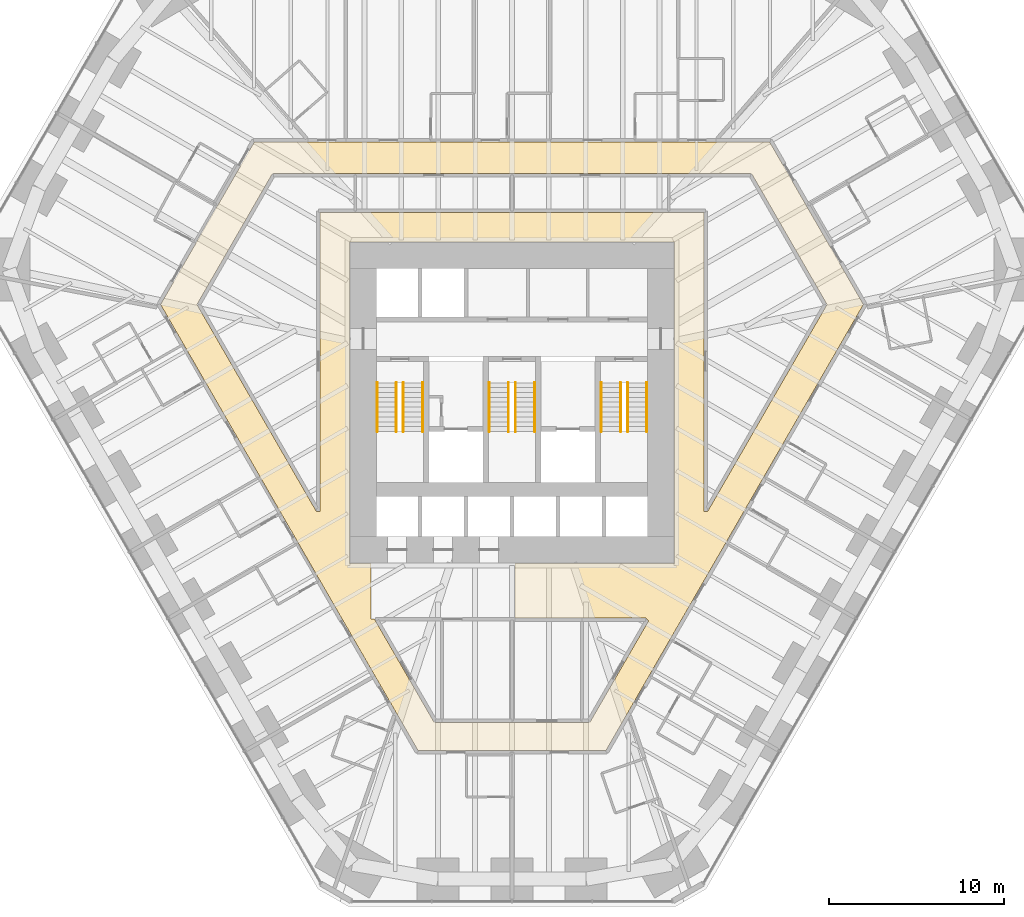
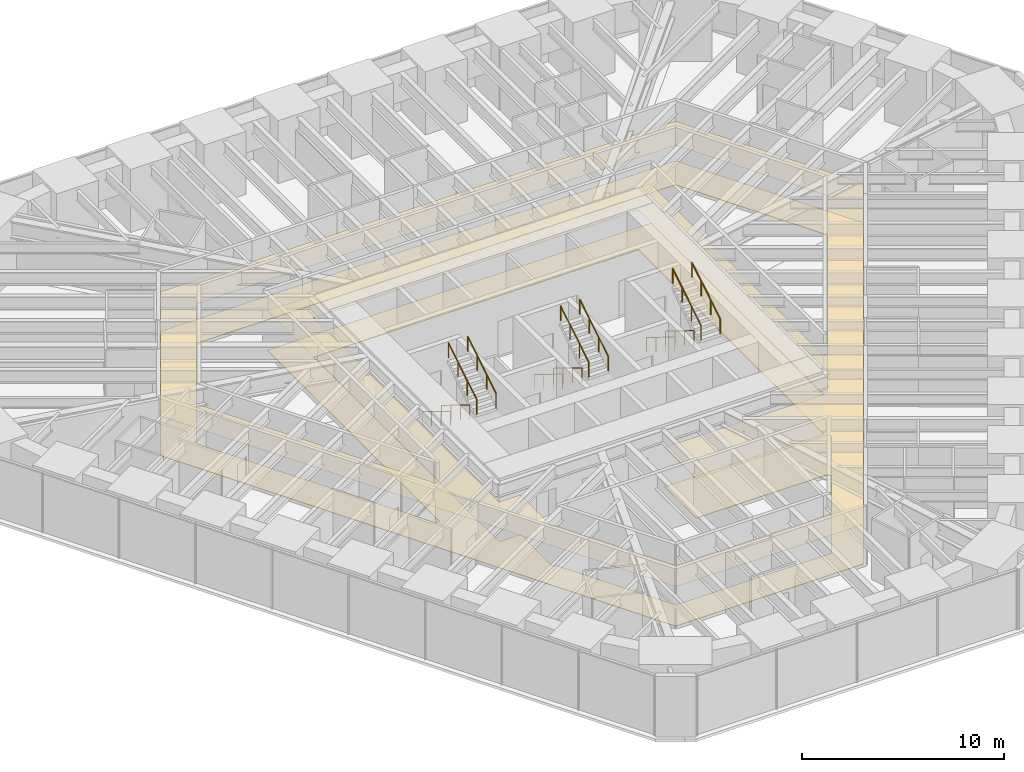
# One storey, part 17 of 17: 12 railings, 2 coverings.
"""IFC4 building model written with IfcOpenShell, lengths in metres."""

from ifc_helpers import new_model, si_unit, direction, frame, origin, origin_2d, place, context, subcontext, project, spatial, polyline, circle, outline, extrude, material, layer, layer_set, type_object, element, save


model = new_model("IFC4")

# Units and contexts
model_context = context("Model", 3, precision=1e-05, world=origin(), true_north=direction((0.0, 1.0)))
body_context = subcontext(model_context, "Body", "Model", "MODEL_VIEW")
ifc_project = project(units=[si_unit("LENGTHUNIT", "METRE"), si_unit("AREAUNIT", "SQUARE_METRE"), si_unit("VOLUMEUNIT", "CUBIC_METRE"), si_unit("PLANEANGLEUNIT", "RADIAN"), si_unit("MASSUNIT", "GRAM", prefix="KILO")], contexts=[model_context])

# Site, building, storey
site_placement = place(None, origin())
site = spatial("IfcSite", under=ifc_project, at=site_placement, CompositionType="ELEMENT")
building_placement = place(site_placement, origin())
building = spatial("IfcBuilding", under=site, at=building_placement, Name="Sandreach Pilgrim Tower", CompositionType="ELEMENT")
storey_placement = place(building_placement, frame((0.0, 0.0, 30.60009765625)))
storey = spatial("IfcBuildingStorey", under=building, at=storey_placement, Name="L06", CompositionType="ELEMENT", Elevation=30.60009765625)

# Covering
ifc_material_1 = material(Name="Gypsum board suspended ceiling on a steel grid", Category="steel")
ifc_layer_1 = layer(ifc_material_1, 0.012939453125)
ifc_layer_set_1 = layer_set([ifc_layer_1], Name="Gypsum board suspended ceiling")
covering_type_1 = type_object("IfcCoveringType", Name="Gypsum board suspended ceiling", PredefinedType="CEILING", material=ifc_layer_set_1)
covering_1_placement = place(storey_placement, frame((0.0, 0.0, 2.39990234375)))
element("IfcCovering", 1, at=covering_1_placement, inside=storey, type_object=covering_type_1, Name="Ceiling 06C Corridor 06", PredefinedType="CEILING", context=body_context, shape_type="SweptSolid", body=[
    extrude(outline(polyline([(-5.3623046875, -21.409912109375), (-20.064453125, 4.06005859375), (-14.7021484375, 13.35009765625), (14.7021484375, 13.35009765625), (20.064453125, 4.06005859375), (5.3623046875, -21.409912109375), (-5.3623046875, -21.409912109375)]), holes=[polyline([(-11.16552734375, -7.760009765625), (-10.949951171875, -7.760009765625), (-10.949951171875, 9.300048828125), (10.949951171875, 9.300048828125), (10.949951171875, -7.760009765625), (11.16552734375, -7.760009765625), (17.9853515625, 4.06005859375), (13.667724609375, 11.550048828125), (-13.667724609375, 11.550048828125), (-17.9853515625, 4.06005859375), (-11.16552734375, -7.760009765625)]), polyline([(-8.050048828125, -10.719970703125), (-8.050048828125, -13.89990234375), (-7.8544921875, -13.89990234375), (-4.437744140625, -19.81005859375), (4.437744140625, -19.81005859375), (7.796630859375, -14.0), (7.635009765625, -13.85009765625), (0.179931640625, -13.85009765625), (0.175048828125, -10.719970703125), (9.27001953125, -10.719970703125), (9.27001953125, 7.6201171875), (-9.27001953125, 7.6201171875), (-9.27001953125, -10.719970703125), (-8.050048828125, -10.719970703125)])]), origin(), (0.0, 0.0, 1.0), 0.012939453125),
])

# Railings
ifc_material_2 = material(Name="Stainless steel tube", Category="steel")
railing_type = type_object("IfcRailingType", Name="Stair handrail", PredefinedType="HANDRAIL", material=ifc_material_2)
for number, where, name in (
    (2, (-6.60009765625, -0.39990234375, 0.172607421875), "Handrail ST1 L06 flight 1"),
    (3, (-7.699951171875, -0.39990234375, 0.172607421875), "Handrail ST1 L06 flight 1"),
):
    element("IfcRailing", number, at=place(storey_placement, frame(where)), inside=storey, type_object=railing_type, Name=name, PredefinedType="HANDRAIL", context=body_context, shape_type="SweptSolid", body=[
        extrude(circle(Radius=0.02392578125, at=origin_2d()), frame((0.0, 0.0, 0.8759765625), z_axis=(0.0, -0.851089632645, 0.525020415988), x_axis=(1.0, 0.0, 0.0)), (0.0, 0.0, 1.0), 3.2900390625),
        extrude(circle(Radius=0.02099609375, at=origin_2d()), origin(), (0.0, 0.0, 1.0), 0.851806640625),
        extrude(circle(Radius=0.02099609375, at=origin_2d()), frame((0.0, -0.933349609375, 0.57568359375)), (0.0, 0.0, 1.0), 0.851806640625),
        extrude(circle(Radius=0.02099609375, at=origin_2d()), frame((0.0, -1.86669921875, 1.151611328125)), (0.0, 0.0, 1.0), 0.851806640625),
        extrude(circle(Radius=0.02099609375, at=origin_2d()), frame((0.0, -2.800048828125, 1.727294921875)), (0.0, 0.0, 1.0), 0.851806640625),
    ])
for number, where, name in (
    (4, (-6.199951171875, -3.199951171875, 2.072509765625), "Handrail ST1 L06 flight 2"),
    (5, (-5.10009765625, -3.199951171875, 2.072509765625), "Handrail ST1 L06 flight 2"),
):
    element("IfcRailing", number, at=place(storey_placement, frame(where)), inside=storey, type_object=railing_type, Name=name, PredefinedType="HANDRAIL", context=body_context, shape_type="SweptSolid", body=[
        extrude(circle(Radius=0.02392578125, at=origin_2d()), frame((0.0, 0.0, 0.8759765625), z_axis=(0.0, 0.851089632645, 0.525020415988), x_axis=(-1.0, 0.0, 0.0)), (0.0, 0.0, 1.0), 3.2900390625),
        extrude(circle(Radius=0.02099609375, at=origin_2d()), origin(), (0.0, 0.0, 1.0), 0.851806640625),
        extrude(circle(Radius=0.02099609375, at=origin_2d()), frame((0.0, 0.933349609375, 0.57568359375)), (0.0, 0.0, 1.0), 0.851806640625),
        extrude(circle(Radius=0.02099609375, at=origin_2d()), frame((0.0, 1.86669921875, 1.151611328125)), (0.0, 0.0, 1.0), 0.851806640625),
        extrude(circle(Radius=0.02099609375, at=origin_2d()), frame((0.0, 2.800048828125, 1.727294921875)), (0.0, 0.0, 1.0), 0.851806640625),
    ])
for number, where, name in (
    (6, (-0.199951171875, -0.39990234375, 0.172607421875), "Handrail ST3 L06 flight 1"),
    (7, (-1.300048828125, -0.39990234375, 0.172607421875), "Handrail ST3 L06 flight 1"),
):
    element("IfcRailing", number, at=place(storey_placement, frame(where)), inside=storey, type_object=railing_type, Name=name, PredefinedType="HANDRAIL", context=body_context, shape_type="SweptSolid", body=[
        extrude(circle(Radius=0.02392578125, at=origin_2d()), frame((0.0, 0.0, 0.8759765625), z_axis=(0.0, -0.851089632645, 0.525020415988), x_axis=(1.0, 0.0, 0.0)), (0.0, 0.0, 1.0), 3.2900390625),
        extrude(circle(Radius=0.02099609375, at=origin_2d()), origin(), (0.0, 0.0, 1.0), 0.851806640625),
        extrude(circle(Radius=0.02099609375, at=origin_2d()), frame((0.0, -0.933349609375, 0.57568359375)), (0.0, 0.0, 1.0), 0.851806640625),
        extrude(circle(Radius=0.02099609375, at=origin_2d()), frame((0.0, -1.86669921875, 1.151611328125)), (0.0, 0.0, 1.0), 0.851806640625),
        extrude(circle(Radius=0.02099609375, at=origin_2d()), frame((0.0, -2.800048828125, 1.727294921875)), (0.0, 0.0, 1.0), 0.851806640625),
    ])
for number, where, name in (
    (8, (0.199951171875, -3.199951171875, 2.072509765625), "Handrail ST3 L06 flight 2"),
    (9, (1.300048828125, -3.199951171875, 2.072509765625), "Handrail ST3 L06 flight 2"),
):
    element("IfcRailing", number, at=place(storey_placement, frame(where)), inside=storey, type_object=railing_type, Name=name, PredefinedType="HANDRAIL", context=body_context, shape_type="SweptSolid", body=[
        extrude(circle(Radius=0.02392578125, at=origin_2d()), frame((0.0, 0.0, 0.8759765625), z_axis=(0.0, 0.851089632645, 0.525020415988), x_axis=(-1.0, 0.0, 0.0)), (0.0, 0.0, 1.0), 3.2900390625),
        extrude(circle(Radius=0.02099609375, at=origin_2d()), origin(), (0.0, 0.0, 1.0), 0.851806640625),
        extrude(circle(Radius=0.02099609375, at=origin_2d()), frame((0.0, 0.933349609375, 0.57568359375)), (0.0, 0.0, 1.0), 0.851806640625),
        extrude(circle(Radius=0.02099609375, at=origin_2d()), frame((0.0, 1.86669921875, 1.151611328125)), (0.0, 0.0, 1.0), 0.851806640625),
        extrude(circle(Radius=0.02099609375, at=origin_2d()), frame((0.0, 2.800048828125, 1.727294921875)), (0.0, 0.0, 1.0), 0.851806640625),
    ])
for number, where, name in (
    (10, (6.199951171875, -0.39990234375, 0.172607421875), "Handrail ST2 L06 flight 1"),
    (11, (5.10009765625, -0.39990234375, 0.172607421875), "Handrail ST2 L06 flight 1"),
):
    element("IfcRailing", number, at=place(storey_placement, frame(where)), inside=storey, type_object=railing_type, Name=name, PredefinedType="HANDRAIL", context=body_context, shape_type="SweptSolid", body=[
        extrude(circle(Radius=0.02392578125, at=origin_2d()), frame((0.0, 0.0, 0.8759765625), z_axis=(0.0, -0.851089632645, 0.525020415988), x_axis=(1.0, 0.0, 0.0)), (0.0, 0.0, 1.0), 3.2900390625),
        extrude(circle(Radius=0.02099609375, at=origin_2d()), origin(), (0.0, 0.0, 1.0), 0.851806640625),
        extrude(circle(Radius=0.02099609375, at=origin_2d()), frame((0.0, -0.933349609375, 0.57568359375)), (0.0, 0.0, 1.0), 0.851806640625),
        extrude(circle(Radius=0.02099609375, at=origin_2d()), frame((0.0, -1.86669921875, 1.151611328125)), (0.0, 0.0, 1.0), 0.851806640625),
        extrude(circle(Radius=0.02099609375, at=origin_2d()), frame((0.0, -2.800048828125, 1.727294921875)), (0.0, 0.0, 1.0), 0.851806640625),
    ])
for number, where, name in (
    (12, (6.60009765625, -3.199951171875, 2.072509765625), "Handrail ST2 L06 flight 2"),
    (13, (7.699951171875, -3.199951171875, 2.072509765625), "Handrail ST2 L06 flight 2"),
):
    element("IfcRailing", number, at=place(storey_placement, frame(where)), inside=storey, type_object=railing_type, Name=name, PredefinedType="HANDRAIL", context=body_context, shape_type="SweptSolid", body=[
        extrude(circle(Radius=0.02392578125, at=origin_2d()), frame((0.0, 0.0, 0.8759765625), z_axis=(0.0, 0.851089632645, 0.525020415988), x_axis=(-1.0, 0.0, 0.0)), (0.0, 0.0, 1.0), 3.2900390625),
        extrude(circle(Radius=0.02099609375, at=origin_2d()), origin(), (0.0, 0.0, 1.0), 0.851806640625),
        extrude(circle(Radius=0.02099609375, at=origin_2d()), frame((0.0, 0.933349609375, 0.57568359375)), (0.0, 0.0, 1.0), 0.851806640625),
        extrude(circle(Radius=0.02099609375, at=origin_2d()), frame((0.0, 1.86669921875, 1.151611328125)), (0.0, 0.0, 1.0), 0.851806640625),
        extrude(circle(Radius=0.02099609375, at=origin_2d()), frame((0.0, 2.800048828125, 1.727294921875)), (0.0, 0.0, 1.0), 0.851806640625),
    ])

# Covering
ifc_material_3 = material(Name="Cement terrazzo, ground and polished", Category="terrazzo")
ifc_layer_2 = layer(ifc_material_3, 0.02490234375)
ifc_layer_set_2 = layer_set([ifc_layer_2], Name="Terrazzo")
covering_type_2 = type_object("IfcCoveringType", Name="Terrazzo", PredefinedType="FLOORING", material=ifc_layer_set_2)
covering_2_placement = place(storey_placement, origin())
element("IfcCovering", 14, at=covering_2_placement, inside=storey, type_object=covering_type_2, Name="Floor finish 06C Corridor 06", PredefinedType="FLOORING", context=body_context, shape_type="SweptSolid", body=[
    extrude(outline(polyline([(-5.3623046875, -21.409912109375), (-20.064453125, 4.06005859375), (-14.7021484375, 13.35009765625), (14.7021484375, 13.35009765625), (20.064453125, 4.06005859375), (5.3623046875, -21.409912109375), (-5.3623046875, -21.409912109375)]), holes=[polyline([(-11.16552734375, -7.760009765625), (-10.949951171875, -7.760009765625), (-10.949951171875, 9.300048828125), (10.949951171875, 9.300048828125), (10.949951171875, -7.760009765625), (11.16552734375, -7.760009765625), (17.9853515625, 4.06005859375), (13.667724609375, 11.550048828125), (-13.667724609375, 11.550048828125), (-17.9853515625, 4.06005859375), (-11.16552734375, -7.760009765625)]), polyline([(-8.050048828125, -10.719970703125), (-8.050048828125, -13.89990234375), (-7.8544921875, -13.89990234375), (-4.437744140625, -19.81005859375), (4.437744140625, -19.81005859375), (7.796630859375, -14.0), (7.635009765625, -13.85009765625), (0.179931640625, -13.85009765625), (0.175048828125, -10.719970703125), (9.27001953125, -10.719970703125), (9.27001953125, 7.6201171875), (-9.27001953125, 7.6201171875), (-9.27001953125, -10.719970703125), (-8.050048828125, -10.719970703125)])]), origin(), (0.0, 0.0, 1.0), 0.02490234375),
])

save(model, "model.ifc")
